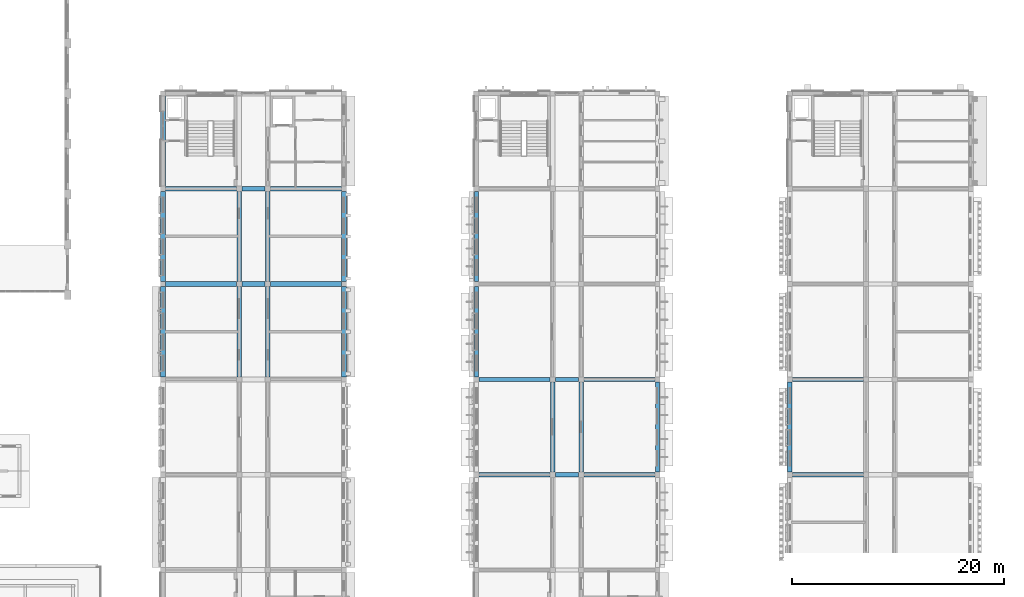
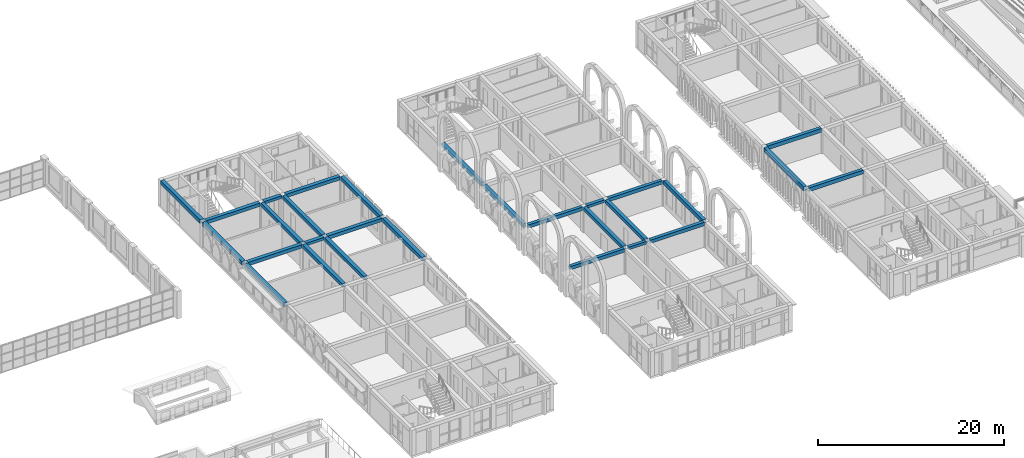
# One storey, part 18 of 70: 29 beams.
"""IFC4 building model written with IfcOpenShell, lengths in metres."""

from ifc_helpers import new_model, si_unit, direction, frame, origin, origin_2d, place, context, subcontext, project, spatial, rectangle, extrude, material, material_profile, profile_set, type_object, element, save


model = new_model("IFC4")

# Units and contexts
model_context = context("Model", 3, precision=1e-05, world=origin(), true_north=direction((0.0, 1.0)))
body_context = subcontext(model_context, "Body", "Model", "MODEL_VIEW")
ifc_project = project(units=[si_unit("LENGTHUNIT", "METRE"), si_unit("AREAUNIT", "SQUARE_METRE"), si_unit("VOLUMEUNIT", "CUBIC_METRE"), si_unit("PLANEANGLEUNIT", "RADIAN"), si_unit("MASSUNIT", "GRAM", prefix="KILO")], contexts=[model_context])

# Site, building, storey
site_placement = place(None, origin())
site = spatial("IfcSite", under=ifc_project, at=site_placement, CompositionType="ELEMENT")
building_placement = place(site_placement, origin())
building = spatial("IfcBuilding", under=site, at=building_placement, Name="Elbe Cascade School", CompositionType="ELEMENT")
storey_placement = place(building_placement, frame((0.0, 0.0, 8.10009765625)))
storey = spatial("IfcBuildingStorey", under=building, at=storey_placement, Name="L02", CompositionType="ELEMENT", Elevation=8.10009765625)

# Beams
ifc_material_1 = material(Name="Concrete C30/37", Category="concrete")
ifc_material_profile_1 = material_profile(ifc_material_1, rectangle(XDim=0.39990234375, YDim=0.35009765625, at=origin_2d()), Name="RC 400x350")
ifc_profile_set_1 = profile_set([ifc_material_profile_1], Name="Concrete C30/37")
beam_type_1 = type_object("IfcBeamType", Name="RC 400x350 beam", PredefinedType="BEAM", material=ifc_profile_set_1)
for number, where, z_axis, x_axis, name in (
    (1, (106.050048828125, 24.0, 3.1748046875), (1.0, 0.0, 0.0), (0.0, 1.0, 0.0), "RC 400x350 beam B3"),
    (2, (106.050048828125, 33.0, 3.1748046875), (1.0, 0.0, 0.0), (0.0, 1.0, 0.0), "RC 400x350 beam B3"),
):
    element("IfcBeam", number, at=place(storey_placement, frame(where, z_axis=z_axis, x_axis=x_axis)), inside=storey, type_object=beam_type_1, Name=name, PredefinedType="BEAM", context=body_context, shape_type="SweptSolid", body=[
        extrude(rectangle(XDim=0.39990234375, YDim=0.35009765625, at=origin_2d()), origin(), (0.0, 0.0, 1.0), 2.199951171875),
    ])
ifc_material_2 = material(Name="Concrete C30/37", Category="concrete")
ifc_material_profile_2 = material_profile(ifc_material_2, rectangle(XDim=0.39990234375, YDim=0.449951171875, at=origin_2d()), Name="RC 400x450")
ifc_profile_set_2 = profile_set([ifc_material_profile_2], Name="Concrete C30/37")
beam_type_2 = type_object("IfcBeamType", Name="RC 400x450 beam", PredefinedType="BEAM", material=ifc_profile_set_2)
for number, where, z_axis, x_axis, name in (
    (3, (105.800048828125, 24.25, 3.125), (0.0, 1.0, 0.0), (-1.0, 0.0, 0.0), "RC 400x450 beam B2"),
    (4, (108.5, 24.25, 3.125), (0.0, 1.0, 0.0), (-1.0, 0.0, 0.0), "RC 400x450 beam B2"),
):
    element("IfcBeam", number, at=place(storey_placement, frame(where, z_axis=z_axis, x_axis=x_axis)), inside=storey, type_object=beam_type_2, Name=name, PredefinedType="BEAM", context=body_context, shape_type="SweptSolid", body=[
        extrude(rectangle(XDim=0.39990234375, YDim=0.449951171875, at=origin_2d()), origin(), (0.0, 0.0, 1.0), 8.5),
    ])
for number, where, z_axis, x_axis, name in (
    (5, (98.85009765625, 24.0, 3.125), (1.0, 0.0, 0.0), (0.0, 1.0, 0.0), "RC 400x450 beam B2"),
    (6, (108.75, 24.0, 3.125), (1.0, 0.0, 0.0), (0.0, 1.0, 0.0), "RC 400x450 beam B2"),
    (7, (98.85009765625, 33.0, 3.125), (1.0, 0.0, 0.0), (0.0, 1.0, 0.0), "RC 400x450 beam B2"),
    (8, (108.75, 33.0, 3.125), (1.0, 0.0, 0.0), (0.0, 1.0, 0.0), "RC 400x450 beam B2"),
):
    element("IfcBeam", number, at=place(storey_placement, frame(where, z_axis=z_axis, x_axis=x_axis)), inside=storey, type_object=beam_type_2, Name=name, PredefinedType="BEAM", context=body_context, shape_type="SweptSolid", body=[
        extrude(rectangle(XDim=0.39990234375, YDim=0.449951171875, at=origin_2d()), origin(), (0.0, 0.0, 1.0), 6.699951171875),
    ])
ifc_material_3 = material(Name="Concrete C30/37", Category="concrete")
ifc_material_profile_3 = material_profile(ifc_material_3, rectangle(XDim=0.39990234375, YDim=0.5, at=origin_2d()), Name="RC 400x500")
ifc_profile_set_3 = profile_set([ifc_material_profile_3], Name="Concrete C30/37")
beam_type_3 = type_object("IfcBeamType", Name="RC 400x500 beam", PredefinedType="BEAM", material=ifc_profile_set_3)
for number, where, z_axis, x_axis, name in (
    (9, (98.60009765625, 33.25, 3.099853515625), (0.0, 1.0, 0.0), (-1.0, 0.0, 0.0), "RC 400x500 beam B1"),
    (10, (98.60009765625, 42.25, 3.099853515625), (0.0, 1.0, 0.0), (-1.0, 0.0, 0.0), "RC 400x500 beam B1"),
    (11, (115.699951171875, 24.25, 3.099853515625), (0.0, 1.0, 0.0), (-1.0, 0.0, 0.0), "RC 400x500 beam B1"),
):
    element("IfcBeam", number, at=place(storey_placement, frame(where, z_axis=z_axis, x_axis=x_axis)), inside=storey, type_object=beam_type_3, Name=name, PredefinedType="BEAM", context=body_context, shape_type="SweptSolid", body=[
        extrude(rectangle(XDim=0.39990234375, YDim=0.5, at=origin_2d()), origin(), (0.0, 0.0, 1.0), 8.5),
    ])
for number, where, z_axis, x_axis, name in (
    (12, (128.449951171875, 24.0, 3.0498046875), (1.0, 0.0, 0.0), (0.0, 1.0, 0.0), "RC 400x500 beam B1"),
    (13, (128.449951171875, 33.0, 3.0498046875), (1.0, 0.0, 0.0), (0.0, 1.0, 0.0), "RC 400x500 beam B1"),
):
    element("IfcBeam", number, at=place(storey_placement, frame(where, z_axis=z_axis, x_axis=x_axis)), inside=storey, type_object=beam_type_3, Name=name, PredefinedType="BEAM", context=body_context, shape_type="SweptSolid", body=[
        extrude(rectangle(XDim=0.39990234375, YDim=0.5, at=origin_2d()), origin(), (0.0, 0.0, 1.0), 6.699951171875),
    ])
ifc_material_4 = material(Name="Concrete C30/37", Category="concrete")
ifc_material_profile_4 = material_profile(ifc_material_4, rectangle(XDim=0.39990234375, YDim=0.550048828125, at=origin_2d()), Name="RC 400x550")
ifc_profile_set_4 = profile_set([ifc_material_profile_4], Name="Concrete C30/37")
beam_type_4 = type_object("IfcBeamType", Name="RC 400x550 beam", PredefinedType="BEAM", material=ifc_profile_set_4)
beam_1_placement = place(storey_placement, frame((128.199951171875, 24.25, 3.02490234375), z_axis=(0.0, 1.0, 0.0), x_axis=(-1.0, 0.0, 0.0)))
element("IfcBeam", 14, at=beam_1_placement, inside=storey, type_object=beam_type_4, Name="RC 400x550 beam B4", PredefinedType="BEAM", context=body_context, shape_type="SweptSolid", body=[
    extrude(rectangle(XDim=0.39990234375, YDim=0.550048828125, at=origin_2d()), origin(), (0.0, 0.0, 1.0), 8.5),
])
ifc_material_5 = material(Name="Concrete C30/37", Category="concrete")
ifc_material_profile_5 = material_profile(ifc_material_5, rectangle(XDim=0.449951171875, YDim=0.35009765625, at=origin_2d()), Name="RC 450x350")
ifc_profile_set_5 = profile_set([ifc_material_profile_5], Name="Concrete C30/37")
beam_type_5 = type_object("IfcBeamType", Name="RC 450x350 beam", PredefinedType="BEAM", material=ifc_profile_set_5)
for number, where, z_axis, x_axis, name in (
    (15, (76.449951171875, 42.0, 3.1748046875), (1.0, 0.0, 0.0), (0.0, 1.0, 0.0), "RC 450x350 beam B11"),
    (16, (76.449951171875, 51.0, 3.1748046875), (1.0, 0.0, 0.0), (0.0, 1.0, 0.0), "RC 450x350 beam B11"),
):
    element("IfcBeam", number, at=place(storey_placement, frame(where, z_axis=z_axis, x_axis=x_axis)), inside=storey, type_object=beam_type_5, Name=name, PredefinedType="BEAM", context=body_context, shape_type="SweptSolid", body=[
        extrude(rectangle(XDim=0.449951171875, YDim=0.35009765625, at=origin_2d()), origin(), (0.0, 0.0, 1.0), 2.199951171875),
    ])
ifc_material_6 = material(Name="Concrete C30/37", Category="concrete")
ifc_material_profile_6 = material_profile(ifc_material_6, rectangle(XDim=0.449951171875, YDim=0.449951171875, at=origin_2d()), Name="RC 450x450")
ifc_profile_set_6 = profile_set([ifc_material_profile_6], Name="Concrete C30/37")
beam_type_6 = type_object("IfcBeamType", Name="RC 450x450 beam", PredefinedType="BEAM", material=ifc_profile_set_6)
for number, where, z_axis, x_axis, name in (
    (17, (76.199951171875, 33.25, 3.125), (0.0, 1.0, 0.0), (-1.0, 0.0, 0.0), "RC 450x450 beam B10"),
    (18, (76.199951171875, 42.25, 3.125), (0.0, 1.0, 0.0), (-1.0, 0.0, 0.0), "RC 450x450 beam B10"),
    (19, (78.89990234375, 33.25, 3.125), (0.0, 1.0, 0.0), (-1.0, 0.0, 0.0), "RC 450x450 beam B10"),
    (20, (78.89990234375, 42.25, 3.125), (0.0, 1.0, 0.0), (-1.0, 0.0, 0.0), "RC 450x450 beam B10"),
):
    element("IfcBeam", number, at=place(storey_placement, frame(where, z_axis=z_axis, x_axis=x_axis)), inside=storey, type_object=beam_type_6, Name=name, PredefinedType="BEAM", context=body_context, shape_type="SweptSolid", body=[
        extrude(rectangle(XDim=0.449951171875, YDim=0.449951171875, at=origin_2d()), origin(), (0.0, 0.0, 1.0), 8.5),
    ])
beam_2_placement = place(storey_placement, frame((69.25, 42.0, 3.125), z_axis=(1.0, 0.0, 0.0), x_axis=(0.0, 1.0, 0.0)))
element("IfcBeam", 21, at=beam_2_placement, inside=storey, type_object=beam_type_6, Name="RC 450x450 beam B10", PredefinedType="BEAM", context=body_context, shape_type="SweptSolid", body=[
    extrude(rectangle(XDim=0.449951171875, YDim=0.449951171875, at=origin_2d()), origin(), (0.0, 0.0, 1.0), 6.699951171875),
])
beam_3_placement = place(storey_placement, frame((79.14990234375, 42.0, 3.125), z_axis=(1.0, 0.0, 0.0), x_axis=(0.0, 1.0, 0.0)))
element("IfcBeam", 22, at=beam_3_placement, inside=storey, type_object=beam_type_6, Name="RC 450x450 beam B10", PredefinedType="BEAM", context=body_context, shape_type="SweptSolid", body=[
    extrude(rectangle(XDim=0.449951171875, YDim=0.449951171875, at=origin_2d()), origin(), (0.0, 0.0, 1.0), 6.7001953125),
])
beam_4_placement = place(storey_placement, frame((69.25, 51.0, 3.125), z_axis=(1.0, 0.0, 0.0), x_axis=(0.0, 1.0, 0.0)))
element("IfcBeam", 23, at=beam_4_placement, inside=storey, type_object=beam_type_6, Name="RC 450x450 beam B10", PredefinedType="BEAM", context=body_context, shape_type="SweptSolid", body=[
    extrude(rectangle(XDim=0.449951171875, YDim=0.449951171875, at=origin_2d()), origin(), (0.0, 0.0, 1.0), 6.699951171875),
])
beam_5_placement = place(storey_placement, frame((79.14990234375, 51.0, 3.125), z_axis=(1.0, 0.0, 0.0), x_axis=(0.0, 1.0, 0.0)))
element("IfcBeam", 24, at=beam_5_placement, inside=storey, type_object=beam_type_6, Name="RC 450x450 beam B10", PredefinedType="BEAM", context=body_context, shape_type="SweptSolid", body=[
    extrude(rectangle(XDim=0.449951171875, YDim=0.449951171875, at=origin_2d()), origin(), (0.0, 0.0, 1.0), 6.7001953125),
])
ifc_material_7 = material(Name="Concrete C30/37", Category="concrete")
ifc_material_profile_7 = material_profile(ifc_material_7, rectangle(XDim=0.449951171875, YDim=0.5, at=origin_2d()), Name="RC 450x500")
ifc_profile_set_7 = profile_set([ifc_material_profile_7], Name="Concrete C30/37")
beam_type_7 = type_object("IfcBeamType", Name="RC 450x500 beam", PredefinedType="BEAM", material=ifc_profile_set_7)
for number, where, z_axis, x_axis, name in (
    (25, (69.0, 33.25, 3.099853515625), (0.0, 1.0, 0.0), (-1.0, 0.0, 0.0), "RC 450x500 beam B9"),
    (26, (69.0, 42.25, 3.099853515625), (0.0, 1.0, 0.0), (-1.0, 0.0, 0.0), "RC 450x500 beam B9"),
    (27, (69.0, 51.25, 3.099853515625), (0.0, 1.0, 0.0), (-1.0, 0.0, 0.0), "RC 450x500 beam B9"),
    (28, (86.10009765625, 33.25, 3.099853515625), (0.0, 1.0, 0.0), (-1.0, 0.0, 0.0), "RC 450x500 beam B9"),
    (29, (86.10009765625, 42.25, 3.099853515625), (0.0, 1.0, 0.0), (-1.0, 0.0, 0.0), "RC 450x500 beam B9"),
):
    element("IfcBeam", number, at=place(storey_placement, frame(where, z_axis=z_axis, x_axis=x_axis)), inside=storey, type_object=beam_type_7, Name=name, PredefinedType="BEAM", context=body_context, shape_type="SweptSolid", body=[
        extrude(rectangle(XDim=0.449951171875, YDim=0.5, at=origin_2d()), origin(), (0.0, 0.0, 1.0), 8.5),
    ])

save(model, "model.ifc")
